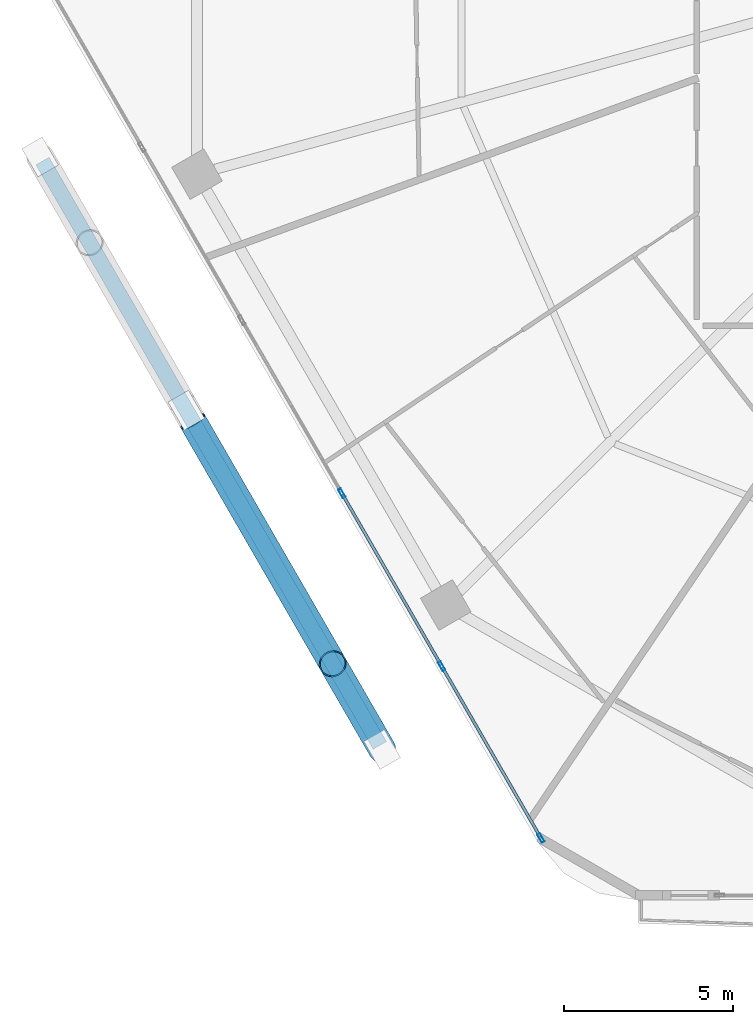
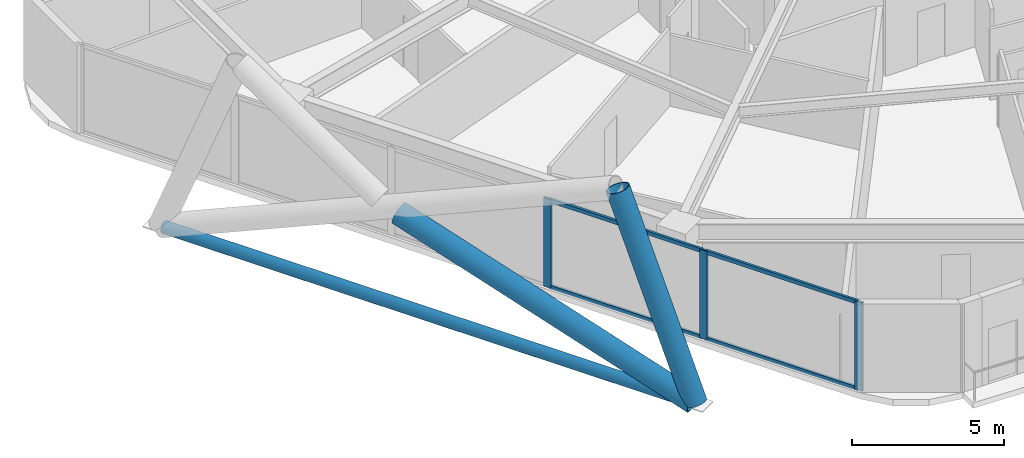
# One storey, part 2 of 35: 10 members, 1 element without a shape of its own.
"""IFC4 building model written with IfcOpenShell, lengths in metres."""

from ifc_helpers import new_model, si_unit, direction, frame, origin, origin_2d, place, context, subcontext, project, spatial, hollow_rectangle, hollow_circle, extrude, material, material_profile, profile_set, type_object, element, aggregate, save


model = new_model("IFC4")

# Units and contexts
model_context = context("Model", 3, precision=1e-05, world=origin(), true_north=direction((0.0, 1.0)))
body_context = subcontext(model_context, "Body", "Model", "MODEL_VIEW")
ifc_project = project(units=[si_unit("LENGTHUNIT", "METRE"), si_unit("AREAUNIT", "SQUARE_METRE"), si_unit("VOLUMEUNIT", "CUBIC_METRE"), si_unit("PLANEANGLEUNIT", "RADIAN"), si_unit("MASSUNIT", "GRAM", prefix="KILO")], contexts=[model_context])

# Site, building, storey
site_placement = place(None, origin())
site = spatial("IfcSite", under=ifc_project, at=site_placement, CompositionType="ELEMENT")
building_placement = place(site_placement, origin())
building = spatial("IfcBuilding", under=site, at=building_placement, Name="Zuhravey Tower", CompositionType="ELEMENT")
storey_placement = place(building_placement, frame((0.0, 0.0, 92.39990234375)))
storey = spatial("IfcBuildingStorey", under=building, at=storey_placement, Name="L22", CompositionType="ELEMENT", Elevation=92.39990234375)

# Curtain wall, members
ifc_material_1 = material(Name="Thermally broken anodised aluminium", Category="aluminium")
curtain_wall_type = type_object("IfcCurtainWallType", Name="Zone 1-2 Residential Curtain Wall CW3", PredefinedType="NOTDEFINED", material=ifc_material_1)
curtain_wall_placement = place(storey_placement, origin())
curtain_wall = element("IfcCurtainWall", 1, at=curtain_wall_placement, inside=storey, type_object=curtain_wall_type, Name="L22 CW3 CW-L22-F4-1", PredefinedType="NOTDEFINED")
ifc_material_2 = material(Name="Anodised aluminium", Category="aluminium")
ifc_material_profile_1 = material_profile(ifc_material_2, hollow_rectangle(XDim=0.090087890625, YDim=0.284912109375, WallThickness=0.0048828125, at=origin_2d()), Name="ALU-RHS-90x285x5")
ifc_profile_set_1 = profile_set([ifc_material_profile_1], Name="Anodised aluminium")
member_type_1 = type_object("IfcMemberType", Name="Curtain-Wall Mullion 90x180", PredefinedType="MULLION", material=ifc_profile_set_1)
member_1_placement = place(storey_placement, frame((18.298583984375, 4.742919921875, 0.0), z_axis=(0.0, 0.0, 1.0), x_axis=(-0.86602552265, -0.499999794119, 0.0)))
member_1 = element("IfcMember", 2, at=member_1_placement, type_object=member_type_1, Name="CW3 mullion 1", PredefinedType="MULLION", context=body_context, shape_type="SweptSolid", body=[
    extrude(hollow_rectangle(XDim=0.090087890625, YDim=0.284912109375, WallThickness=0.0048828125, at=origin_2d()), origin(), (0.0, 0.0, 1.0), 3.550048828125),
])
member_2_placement = place(storey_placement, frame((15.361083984375, 9.830810546875, 0.0), z_axis=(0.0, 0.0, 1.0), x_axis=(-0.86602552265, -0.499999794119, 0.0)))
member_2 = element("IfcMember", 3, at=member_2_placement, type_object=member_type_1, Name="CW3 mullion 2", PredefinedType="MULLION", context=body_context, shape_type="SweptSolid", body=[
    extrude(hollow_rectangle(XDim=0.090087890625, YDim=0.284912109375, WallThickness=0.0048828125, at=origin_2d()), origin(), (0.0, 0.0, 1.0), 3.550048828125),
])
member_3_placement = place(storey_placement, frame((12.401123046875, 14.95751953125, 0.0), z_axis=(0.0, 0.0, 1.0), x_axis=(-0.86602552265, -0.499999794119, 0.0)))
member_3 = element("IfcMember", 4, at=member_3_placement, type_object=member_type_1, Name="CW3 mullion 3", PredefinedType="MULLION", context=body_context, shape_type="SweptSolid", body=[
    extrude(hollow_rectangle(XDim=0.090087890625, YDim=0.284912109375, WallThickness=0.0048828125, at=origin_2d()), origin(), (0.0, 0.0, 1.0), 3.550048828125),
])
ifc_material_profile_2 = material_profile(ifc_material_2, hollow_rectangle(XDim=0.090087890625, YDim=0.14990234375, WallThickness=0.0048828125, at=origin_2d()), Name="ALU-RHS-90x150x5")
ifc_profile_set_2 = profile_set([ifc_material_profile_2], Name="Anodised aluminium")
member_type_2 = type_object("IfcMemberType", Name="Curtain-Wall Transom 90x150", PredefinedType="USERDEFINED", material=ifc_profile_set_2)
member_4_placement = place(storey_placement, frame((18.27587890625, 4.781982421875, 0.045166015625), z_axis=(-0.499992798144, 0.866029561738, 0.0), x_axis=(-0.866029561738, -0.499992798144, 0.0)))
member_4 = element("IfcMember", 5, at=member_4_placement, type_object=member_type_2, Name="CW3 transom 1.1", ObjectType="TRANSOM", PredefinedType="USERDEFINED", context=body_context, shape_type="SweptSolid", body=[
    extrude(hollow_rectangle(XDim=0.090087890625, YDim=0.14990234375, WallThickness=0.0048828125, at=origin_2d()), origin(), (0.0, 0.0, 1.0), 5.78466796875),
])
member_5_placement = place(storey_placement, frame((18.27587890625, 4.781982421875, 3.505126953125), z_axis=(-0.499992798144, 0.866029561738, 0.0), x_axis=(-0.866029561738, -0.499992798144, 0.0)))
member_5 = element("IfcMember", 6, at=member_5_placement, type_object=member_type_2, Name="CW3 transom 1.2", ObjectType="TRANSOM", PredefinedType="USERDEFINED", context=body_context, shape_type="SweptSolid", body=[
    extrude(hollow_rectangle(XDim=0.090087890625, YDim=0.14990234375, WallThickness=0.0048828125, at=origin_2d()), origin(), (0.0, 0.0, 1.0), 5.78466796875),
])
member_6_placement = place(storey_placement, frame((15.338623046875, 9.86962890625, 0.045166015625), z_axis=(-0.500012451049, 0.866018215049, 0.0), x_axis=(-0.866018215049, -0.500012451049, 0.0)))
member_6 = element("IfcMember", 7, at=member_6_placement, type_object=member_type_2, Name="CW3 transom 2.1", ObjectType="TRANSOM", PredefinedType="USERDEFINED", context=body_context, shape_type="SweptSolid", body=[
    extrude(hollow_rectangle(XDim=0.090087890625, YDim=0.14990234375, WallThickness=0.0048828125, at=origin_2d()), origin(), (0.0, 0.0, 1.0), 5.829833984375),
])
member_7_placement = place(storey_placement, frame((15.338623046875, 9.86962890625, 3.505126953125), z_axis=(-0.500012451049, 0.866018215049, 0.0), x_axis=(-0.866018215049, -0.500012451049, 0.0)))
member_7 = element("IfcMember", 8, at=member_7_placement, type_object=member_type_2, Name="CW3 transom 2.2", ObjectType="TRANSOM", PredefinedType="USERDEFINED", context=body_context, shape_type="SweptSolid", body=[
    extrude(hollow_rectangle(XDim=0.090087890625, YDim=0.14990234375, WallThickness=0.0048828125, at=origin_2d()), origin(), (0.0, 0.0, 1.0), 5.829833984375),
])
aggregate(curtain_wall, [member_1, member_2, member_3, member_4, member_5, member_6, member_7])

# Members
ifc_material_3 = material(Name="Steel SM355", Category="steel")
ifc_material_profile_3 = material_profile(ifc_material_3, hollow_circle(Radius=0.228515625, WallThickness=0.02197265625, at=origin_2d()), Name="CHS-457.2x22")
ifc_profile_set_3 = profile_set([ifc_material_profile_3], Name="Steel SM355")
member_type_3 = type_object("IfcMemberType", Name="Exoskeleton Ring Tie CHS457x22", PredefinedType="CHORD", material=ifc_profile_set_3)
member_8_placement = place(storey_placement, frame((3.53271484375, 24.79833984375, -0.4638671875), z_axis=(0.499987058157, -0.866032875632, 0.0), x_axis=(0.866032875632, 0.499987058157, 0.0)))
element("IfcMember", 9, at=member_8_placement, inside=storey, type_object=member_type_3, Name="L22 Exoskeleton Face 4 Tie EXR1", PredefinedType="CHORD", context=body_context, shape_type="SweptSolid", body=[
    extrude(hollow_circle(Radius=0.228515625, WallThickness=0.02197265625, at=origin_2d()), origin(), (0.0, 0.0, 1.0), 19.99365234375),
])
ifc_material_4 = material(Name="Steel SM460", Category="steel")
ifc_material_profile_4 = material_profile(ifc_material_4, hollow_circle(Radius=0.406494140625, WallThickness=0.035888671875, at=origin_2d()), Name="CHS-812.8x36")
ifc_profile_set_4 = profile_set([ifc_material_profile_4], Name="Steel SM460")
member_type_4 = type_object("IfcMemberType", Name="Exoskeleton Zone 1 Diagrid CHS813x36", PredefinedType="BRACE", material=ifc_profile_set_4)
member_9_placement = place(storey_placement, frame((13.59521484375, 7.369384765625, -0.44189453125), z_axis=(-0.180574288521, 0.312728273078, 0.932520216158), x_axis=(-0.866000778371, -0.500042650041, 0.0)))
element("IfcMember", 10, at=member_9_placement, inside=storey, type_object=member_type_4, Name="L22 Face 4 Diagrid Brace 4", PredefinedType="BRACE", context=body_context, shape_type="SweptSolid", body=[
    extrude(hollow_circle(Radius=0.406494140625, WallThickness=0.035888671875, at=origin_2d()), origin(), (0.0, 0.0, 1.0), 8.102783203125),
])
member_10_placement = place(storey_placement, frame((13.573486328125, 7.406982421875, -0.44677734375), z_axis=(-0.475191097731, 0.823054392152, 0.311086624908), x_axis=(-0.866025211119, -0.500000333706, 0.0)))
element("IfcMember", 11, at=member_10_placement, inside=storey, type_object=member_type_4, Name="L22 Face 4 Split Diagrid Brace 3A", PredefinedType="BRACE", context=body_context, shape_type="SweptSolid", body=[
    extrude(hollow_circle(Radius=0.406494140625, WallThickness=0.035888671875, at=origin_2d()), origin(), (0.0, 0.0, 1.0), 11.763427734375),
])

save(model, "model.ifc")
